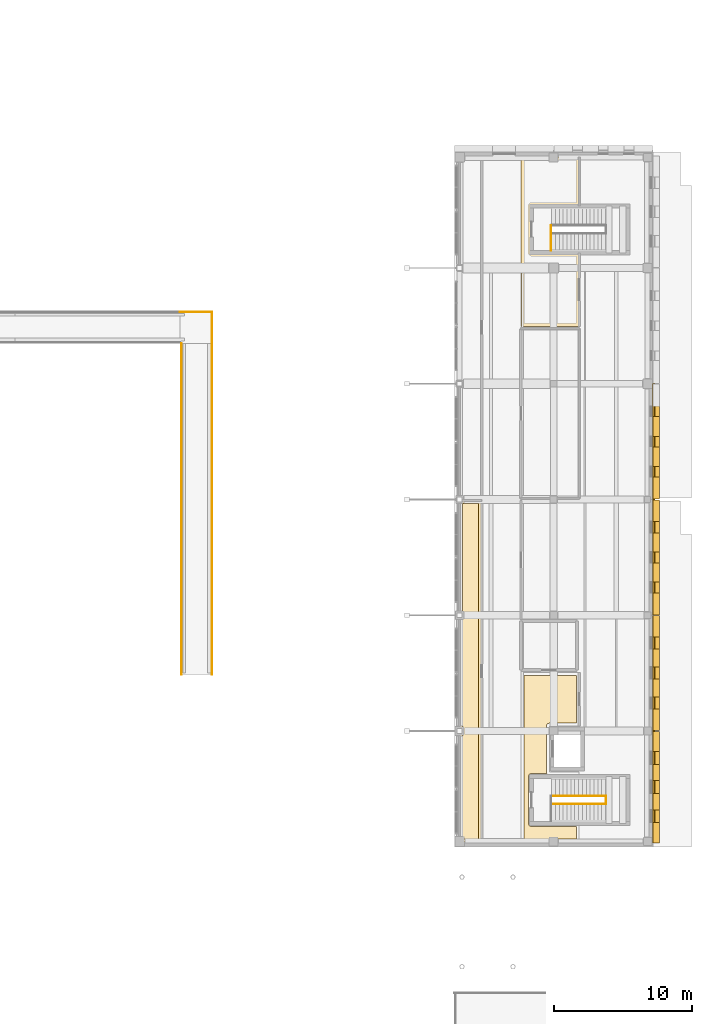
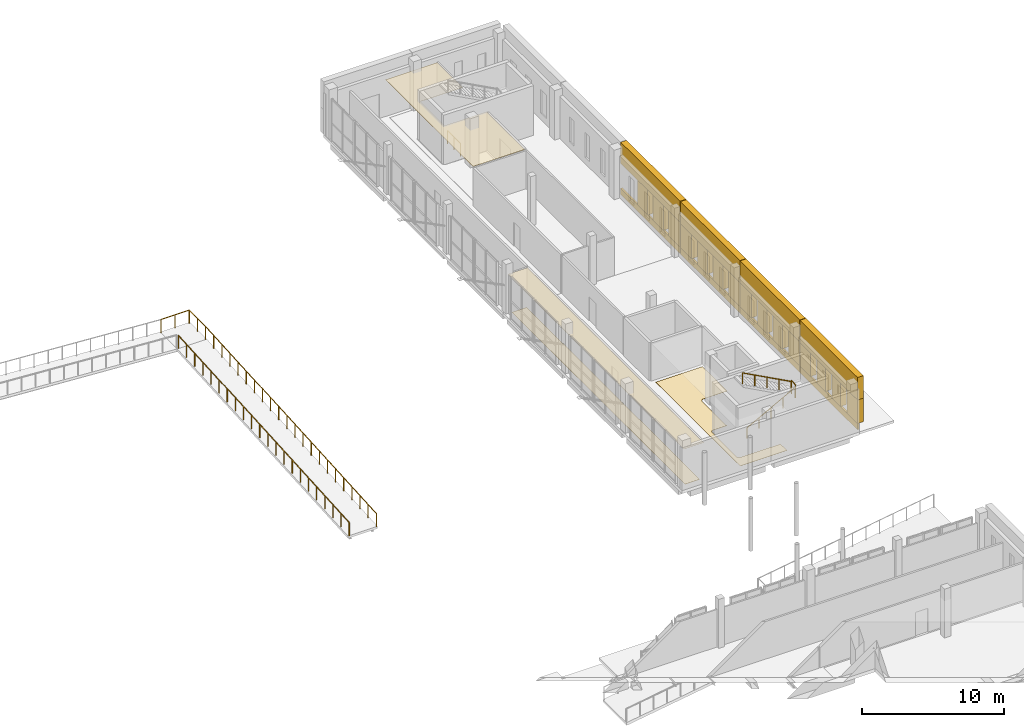
# One storey, part 76 of 77: 27 coverings, 8 railings.
"""IFC4 building model written with IfcOpenShell, lengths in metres."""

from ifc_helpers import new_model, si_unit, direction, frame, origin, origin_2d, place, context, subcontext, project, spatial, polyline, circle, outline, extrude, material, layer, layer_set, type_object, element, save


model = new_model("IFC4")

# Units and contexts
model_context = context("Model", 3, precision=1e-05, world=origin(), true_north=direction((0.0, 1.0)))
body_context = subcontext(model_context, "Body", "Model", "MODEL_VIEW")
ifc_project = project(units=[si_unit("LENGTHUNIT", "METRE"), si_unit("AREAUNIT", "SQUARE_METRE"), si_unit("VOLUMEUNIT", "CUBIC_METRE"), si_unit("PLANEANGLEUNIT", "RADIAN"), si_unit("MASSUNIT", "GRAM", prefix="KILO")], contexts=[model_context])

# Site, building, storey
site_placement = place(None, origin())
site = spatial("IfcSite", under=ifc_project, at=site_placement, CompositionType="ELEMENT")
building_placement = place(site_placement, origin())
building = spatial("IfcBuilding", under=site, at=building_placement, Name="Vardoun Plaza Health Centre", CompositionType="ELEMENT")
storey_placement = place(building_placement, origin())
storey = spatial("IfcBuildingStorey", under=building, at=storey_placement, Name="L00", CompositionType="ELEMENT", Elevation=0.0)

# Coverings
ifc_material_1 = material(Name="Hygienic Acoustic Mineral-Fibre Ceiling", Category="concrete")
ifc_layer_1 = layer(ifc_material_1, 0.02490234375)
ifc_layer_set_1 = layer_set([ifc_layer_1], Name="Hygienic Acoustic Mineral-Fibre Ceiling")
covering_type_1 = type_object("IfcCoveringType", Name="CL-01", PredefinedType="CEILING", material=ifc_layer_set_1)
covering_1_placement = place(storey_placement, frame((0.0, 0.0, 3.2099609375)))
element("IfcCovering", 1, at=covering_1_placement, inside=storey, type_object=covering_type_1, Name="Pharmacy Counselling Room Acoustic Ceiling", PredefinedType="CEILING", context=body_context, shape_type="SweptSolid", body=[
    extrude(outline(polyline([(152.8701171875, 36.659912109375), (151.260009765625, 36.659912109375), (151.260009765625, 61.409912109375), (152.8701171875, 61.409912109375), (152.8701171875, 36.659912109375)])), origin(), (0.0, 0.0, 1.0), 0.025146484375),
])
covering_2_placement = place(storey_placement, frame((0.0, 0.0, 3.2099609375)))
element("IfcCovering", 2, at=covering_2_placement, inside=storey, type_object=covering_type_1, Name="Community Health Cafe Acoustic Ceiling", PredefinedType="CEILING", context=body_context, shape_type="SweptSolid", body=[
    extrude(outline(polyline([(159.949951171875, 86.340087890625), (159.949951171875, 82.81005859375), (156.5, 82.81005859375), (156.4990234375, 82.81005859375), (156.498046875, 82.809814453125), (156.4970703125, 82.8095703125), (156.49609375, 82.80908203125), (156.495361328125, 82.808837890625), (156.494384765625, 82.808349609375), (156.49365234375, 82.8076171875), (156.492919921875, 82.80712890625), (156.4921875, 82.806396484375), (156.49169921875, 82.8056640625), (156.4912109375, 82.8046875), (156.49072265625, 82.8037109375), (156.490478515625, 82.802978515625), (156.490234375, 82.802001953125), (156.489990234375, 82.801025390625), (156.489990234375, 82.800048828125), (156.489990234375, 79.39990234375), (156.489990234375, 79.39892578125), (156.490234375, 79.39794921875), (156.490478515625, 79.397216796875), (156.49072265625, 79.396240234375), (156.4912109375, 79.395263671875), (156.49169921875, 79.394287109375), (156.4921875, 79.393798828125), (156.492919921875, 79.392822265625), (156.49365234375, 79.392333984375), (156.494384765625, 79.3916015625), (156.495361328125, 79.39111328125), (156.49609375, 79.390869140625), (156.4970703125, 79.390380859375), (156.498046875, 79.39013671875), (156.4990234375, 79.389892578125), (156.5, 79.389892578125), (159.949951171875, 79.389892578125), (159.949951171875, 74.054931640625), (155.72998046875, 74.054931640625), (155.72998046875, 86.340087890625), (159.949951171875, 86.340087890625)])), origin(), (0.0, 0.0, 1.0), 0.025146484375),
])
ifc_material_2 = material(Name="Pale Limestone Concrete C35/45", Category="masonry")
ifc_layer_2 = layer(ifc_material_2, 0.080078125)
ifc_layer_set_2 = layer_set([ifc_layer_2], Name="Pale Limestone Concrete C35/45")
covering_type_2 = type_object("IfcCoveringType", Name="CL-EXT1", PredefinedType="CLADDING", material=ifc_layer_set_2)
covering_3_placement = place(storey_placement, origin())
element("IfcCovering", 3, at=covering_3_placement, inside=storey, type_object=covering_type_2, Name="V6 L00 Pale Concrete Sill Band 1262", PredefinedType="CLADDING", context=body_context, shape_type="SweptSolid", body=[
    extrude(outline(polyline([(165.300048828125, 69.8798828125), (165.300048828125, 61.52001953125), (165.43994140625, 61.52001953125), (165.43994140625, 69.8798828125), (165.300048828125, 69.8798828125)])), origin(), (0.0, 0.0, 1.0), 0.550048828125),
])
covering_4_placement = place(storey_placement, frame((0.0, 0.0, 2.68994140625)))
element("IfcCovering", 4, at=covering_4_placement, inside=storey, type_object=covering_type_2, Name="V6 L00 Sculpted Concrete Eyebrow Hood 1263", PredefinedType="CLADDING", context=body_context, shape_type="SweptSolid", body=[
    extrude(outline(polyline([(165.300048828125, 69.8798828125), (165.300048828125, 61.52001953125), (165.780029296875, 61.52001953125), (165.780029296875, 69.8798828125), (165.300048828125, 69.8798828125)])), origin(), (0.0, 0.0, 1.0), 1.81005859375),
])
covering_5_placement = place(storey_placement, frame((0.0, 0.0, 0.550048828125)))
element("IfcCovering", 5, at=covering_5_placement, inside=storey, type_object=covering_type_2, Name="V6 L00 Deep-Punched Slot Concrete Reveal Pier 1265", PredefinedType="CLADDING", context=body_context, shape_type="SweptSolid", body=[
    extrude(outline(polyline([(165.300048828125, 67.509033203125), (165.300048828125, 66.074951171875), (165.780029296875, 66.074951171875), (165.780029296875, 67.509033203125), (165.300048828125, 67.509033203125)])), origin(), (0.0, 0.0, 1.0), 2.139892578125),
])
covering_6_placement = place(storey_placement, frame((0.0, 0.0, 0.550048828125)))
element("IfcCovering", 6, at=covering_6_placement, inside=storey, type_object=covering_type_2, Name="V6 L00 Deep-Punched Slot Concrete Reveal Pier 1266", PredefinedType="CLADDING", context=body_context, shape_type="SweptSolid", body=[
    extrude(outline(polyline([(165.300048828125, 65.324951171875), (165.300048828125, 63.89111328125), (165.780029296875, 63.89111328125), (165.780029296875, 65.324951171875), (165.300048828125, 65.324951171875)])), origin(), (0.0, 0.0, 1.0), 2.139892578125),
])
covering_7_placement = place(storey_placement, frame((0.0, 0.0, 0.550048828125)))
element("IfcCovering", 7, at=covering_7_placement, inside=storey, type_object=covering_type_2, Name="V6 L00 Deep-Punched Slot Concrete Reveal Pier 1267", PredefinedType="CLADDING", context=body_context, shape_type="SweptSolid", body=[
    extrude(outline(polyline([(165.300048828125, 63.14111328125), (165.300048828125, 61.52001953125), (165.780029296875, 61.52001953125), (165.780029296875, 63.14111328125), (165.300048828125, 63.14111328125)])), origin(), (0.0, 0.0, 1.0), 2.139892578125),
])
covering_8_placement = place(storey_placement, origin())
element("IfcCovering", 8, at=covering_8_placement, inside=storey, type_object=covering_type_2, Name="V6 L00 Pale Concrete Sill Band 1268", PredefinedType="CLADDING", context=body_context, shape_type="SweptSolid", body=[
    extrude(outline(polyline([(165.300048828125, 61.47998046875), (165.300048828125, 53.1201171875), (165.43994140625, 53.1201171875), (165.43994140625, 61.47998046875), (165.300048828125, 61.47998046875)])), origin(), (0.0, 0.0, 1.0), 0.550048828125),
])
covering_9_placement = place(storey_placement, frame((0.0, 0.0, 2.610107421875)))
element("IfcCovering", 9, at=covering_9_placement, inside=storey, type_object=covering_type_2, Name="V6 L00 Sculpted Concrete Eyebrow Hood 1269", PredefinedType="CLADDING", context=body_context, shape_type="SweptSolid", body=[
    extrude(outline(polyline([(165.300048828125, 61.47998046875), (165.300048828125, 53.1201171875), (165.780029296875, 53.1201171875), (165.780029296875, 61.47998046875), (165.300048828125, 61.47998046875)])), origin(), (0.0, 0.0, 1.0), 1.889892578125),
])
covering_10_placement = place(storey_placement, frame((0.0, 0.0, 0.550048828125)))
element("IfcCovering", 10, at=covering_10_placement, inside=storey, type_object=covering_type_2, Name="V6 L00 Deep-Punched Slot Concrete Reveal Pier 1270", PredefinedType="CLADDING", context=body_context, shape_type="SweptSolid", body=[
    extrude(outline(polyline([(165.300048828125, 61.47998046875), (165.300048828125, 59.888916015625), (165.780029296875, 59.888916015625), (165.780029296875, 61.47998046875), (165.300048828125, 61.47998046875)])), origin(), (0.0, 0.0, 1.0), 2.06005859375),
])
covering_11_placement = place(storey_placement, frame((0.0, 0.0, 0.550048828125)))
element("IfcCovering", 11, at=covering_11_placement, inside=storey, type_object=covering_type_2, Name="V6 L00 Deep-Punched Slot Concrete Reveal Pier 1271", PredefinedType="CLADDING", context=body_context, shape_type="SweptSolid", body=[
    extrude(outline(polyline([(165.300048828125, 59.0791015625), (165.300048828125, 57.705078125), (165.780029296875, 57.705078125), (165.780029296875, 59.0791015625), (165.300048828125, 59.0791015625)])), origin(), (0.0, 0.0, 1.0), 2.06005859375),
])
covering_12_placement = place(storey_placement, frame((0.0, 0.0, 0.550048828125)))
element("IfcCovering", 12, at=covering_12_placement, inside=storey, type_object=covering_type_2, Name="V6 L00 Deep-Punched Slot Concrete Reveal Pier 1272", PredefinedType="CLADDING", context=body_context, shape_type="SweptSolid", body=[
    extrude(outline(polyline([(165.300048828125, 56.89501953125), (165.300048828125, 55.52099609375), (165.780029296875, 55.52099609375), (165.780029296875, 56.89501953125), (165.300048828125, 56.89501953125)])), origin(), (0.0, 0.0, 1.0), 2.06005859375),
])
covering_13_placement = place(storey_placement, frame((0.0, 0.0, 0.550048828125)))
element("IfcCovering", 13, at=covering_13_placement, inside=storey, type_object=covering_type_2, Name="V6 L00 Deep-Punched Slot Concrete Reveal Pier 1273", PredefinedType="CLADDING", context=body_context, shape_type="SweptSolid", body=[
    extrude(outline(polyline([(165.300048828125, 54.7109375), (165.300048828125, 53.1201171875), (165.780029296875, 53.1201171875), (165.780029296875, 54.7109375), (165.300048828125, 54.7109375)])), origin(), (0.0, 0.0, 1.0), 2.06005859375),
])
covering_14_placement = place(storey_placement, origin())
element("IfcCovering", 14, at=covering_14_placement, inside=storey, type_object=covering_type_2, Name="V6 L00 Pale Concrete Sill Band 1274", PredefinedType="CLADDING", context=body_context, shape_type="SweptSolid", body=[
    extrude(outline(polyline([(165.300048828125, 53.080078125), (165.300048828125, 44.719970703125), (165.43994140625, 44.719970703125), (165.43994140625, 53.080078125), (165.300048828125, 53.080078125)])), origin(), (0.0, 0.0, 1.0), 0.550048828125),
])
covering_15_placement = place(storey_placement, frame((0.0, 0.0, 2.610107421875)))
element("IfcCovering", 15, at=covering_15_placement, inside=storey, type_object=covering_type_2, Name="V6 L00 Sculpted Concrete Eyebrow Hood 1275", PredefinedType="CLADDING", context=body_context, shape_type="SweptSolid", body=[
    extrude(outline(polyline([(165.300048828125, 53.080078125), (165.300048828125, 44.719970703125), (165.780029296875, 44.719970703125), (165.780029296875, 53.080078125), (165.300048828125, 53.080078125)])), origin(), (0.0, 0.0, 1.0), 1.889892578125),
])
covering_16_placement = place(storey_placement, frame((0.0, 0.0, 0.550048828125)))
element("IfcCovering", 16, at=covering_16_placement, inside=storey, type_object=covering_type_2, Name="V6 L00 Deep-Punched Slot Concrete Reveal Pier 1276", PredefinedType="CLADDING", context=body_context, shape_type="SweptSolid", body=[
    extrude(outline(polyline([(165.300048828125, 53.080078125), (165.300048828125, 51.51904296875), (165.780029296875, 51.51904296875), (165.780029296875, 53.080078125), (165.300048828125, 53.080078125)])), origin(), (0.0, 0.0, 1.0), 2.06005859375),
])
covering_17_placement = place(storey_placement, frame((0.0, 0.0, 0.550048828125)))
element("IfcCovering", 17, at=covering_17_placement, inside=storey, type_object=covering_type_2, Name="V6 L00 Deep-Punched Slot Concrete Reveal Pier 1277", PredefinedType="CLADDING", context=body_context, shape_type="SweptSolid", body=[
    extrude(outline(polyline([(165.300048828125, 50.64892578125), (165.300048828125, 49.3349609375), (165.780029296875, 49.3349609375), (165.780029296875, 50.64892578125), (165.300048828125, 50.64892578125)])), origin(), (0.0, 0.0, 1.0), 2.06005859375),
])
covering_18_placement = place(storey_placement, frame((0.0, 0.0, 0.550048828125)))
element("IfcCovering", 18, at=covering_18_placement, inside=storey, type_object=covering_type_2, Name="V6 L00 Deep-Punched Slot Concrete Reveal Pier 1278", PredefinedType="CLADDING", context=body_context, shape_type="SweptSolid", body=[
    extrude(outline(polyline([(165.300048828125, 48.465087890625), (165.300048828125, 47.15087890625), (165.780029296875, 47.15087890625), (165.780029296875, 48.465087890625), (165.300048828125, 48.465087890625)])), origin(), (0.0, 0.0, 1.0), 2.06005859375),
])
covering_19_placement = place(storey_placement, frame((0.0, 0.0, 0.550048828125)))
element("IfcCovering", 19, at=covering_19_placement, inside=storey, type_object=covering_type_2, Name="V6 L00 Deep-Punched Slot Concrete Reveal Pier 1279", PredefinedType="CLADDING", context=body_context, shape_type="SweptSolid", body=[
    extrude(outline(polyline([(165.300048828125, 46.281005859375), (165.300048828125, 44.719970703125), (165.780029296875, 44.719970703125), (165.780029296875, 46.281005859375), (165.300048828125, 46.281005859375)])), origin(), (0.0, 0.0, 1.0), 2.06005859375),
])
covering_20_placement = place(storey_placement, origin())
element("IfcCovering", 20, at=covering_20_placement, inside=storey, type_object=covering_type_2, Name="V6 L00 Pale Concrete Sill Band 1280", PredefinedType="CLADDING", context=body_context, shape_type="SweptSolid", body=[
    extrude(outline(polyline([(165.300048828125, 44.679931640625), (165.300048828125, 36.5849609375), (165.43994140625, 36.5849609375), (165.43994140625, 44.679931640625), (165.300048828125, 44.679931640625)])), origin(), (0.0, 0.0, 1.0), 0.550048828125),
])
covering_21_placement = place(storey_placement, frame((0.0, 0.0, 2.570068359375)))
element("IfcCovering", 21, at=covering_21_placement, inside=storey, type_object=covering_type_2, Name="V6 L00 Sculpted Concrete Eyebrow Hood 1281", PredefinedType="CLADDING", context=body_context, shape_type="SweptSolid", body=[
    extrude(outline(polyline([(165.300048828125, 44.679931640625), (165.300048828125, 36.5849609375), (165.780029296875, 36.5849609375), (165.780029296875, 44.679931640625), (165.300048828125, 44.679931640625)])), origin(), (0.0, 0.0, 1.0), 1.929931640625),
])
covering_22_placement = place(storey_placement, frame((0.0, 0.0, 0.550048828125)))
element("IfcCovering", 22, at=covering_22_placement, inside=storey, type_object=covering_type_2, Name="V6 L00 Deep-Punched Slot Concrete Reveal Pier 1282", PredefinedType="CLADDING", context=body_context, shape_type="SweptSolid", body=[
    extrude(outline(polyline([(165.300048828125, 44.679931640625), (165.300048828125, 43.212646484375), (165.780029296875, 43.212646484375), (165.780029296875, 44.679931640625), (165.300048828125, 44.679931640625)])), origin(), (0.0, 0.0, 1.0), 2.02001953125),
])
covering_23_placement = place(storey_placement, frame((0.0, 0.0, 0.550048828125)))
element("IfcCovering", 23, at=covering_23_placement, inside=storey, type_object=covering_type_2, Name="V6 L00 Deep-Punched Slot Concrete Reveal Pier 1283", PredefinedType="CLADDING", context=body_context, shape_type="SweptSolid", body=[
    extrude(outline(polyline([(165.300048828125, 42.28271484375), (165.300048828125, 41.097412109375), (165.780029296875, 41.097412109375), (165.780029296875, 42.28271484375), (165.300048828125, 42.28271484375)])), origin(), (0.0, 0.0, 1.0), 2.02001953125),
])
covering_24_placement = place(storey_placement, frame((0.0, 0.0, 0.550048828125)))
element("IfcCovering", 24, at=covering_24_placement, inside=storey, type_object=covering_type_2, Name="V6 L00 Deep-Punched Slot Concrete Reveal Pier 1284", PredefinedType="CLADDING", context=body_context, shape_type="SweptSolid", body=[
    extrude(outline(polyline([(165.300048828125, 40.16748046875), (165.300048828125, 38.982421875), (165.780029296875, 38.982421875), (165.780029296875, 40.16748046875), (165.300048828125, 40.16748046875)])), origin(), (0.0, 0.0, 1.0), 2.02001953125),
])
covering_25_placement = place(storey_placement, frame((0.0, 0.0, 0.550048828125)))
element("IfcCovering", 25, at=covering_25_placement, inside=storey, type_object=covering_type_2, Name="V6 L00 Deep-Punched Slot Concrete Reveal Pier 1285", PredefinedType="CLADDING", context=body_context, shape_type="SweptSolid", body=[
    extrude(outline(polyline([(165.300048828125, 38.052490234375), (165.300048828125, 36.5849609375), (165.780029296875, 36.5849609375), (165.780029296875, 38.052490234375), (165.300048828125, 38.052490234375)])), origin(), (0.0, 0.0, 1.0), 2.02001953125),
])
ifc_material_3 = material(Name="Seamless Conductive Clinical Vinyl Flooring", Category="concrete")
ifc_layer_3 = layer(ifc_material_3, 0.014892578125)
ifc_layer_set_3 = layer_set([ifc_layer_3], Name="Seamless Conductive Clinical Vinyl Flooring")
covering_type_3 = type_object("IfcCoveringType", Name="FL-01", PredefinedType="FLOORING", material=ifc_layer_set_3)
covering_26_placement = place(storey_placement, origin())
element("IfcCovering", 26, at=covering_26_placement, inside=storey, type_object=covering_type_3, Name="Pharmacy Counselling Room Floor Finish", PredefinedType="FLOORING", context=body_context, shape_type="SweptSolid", body=[
    extrude(outline(polyline([(152.659912109375, 36.8701171875), (151.469970703125, 36.8701171875), (151.469970703125, 61.199951171875), (152.659912109375, 61.199951171875), (152.659912109375, 36.8701171875)])), origin(), (0.0, 0.0, 1.0), 0.014892578125),
])
covering_27_placement = place(storey_placement, origin())
element("IfcCovering", 27, at=covering_27_placement, inside=storey, type_object=covering_type_3, Name="Outpatient Pharmacy Dispensary A Floor Finish", PredefinedType="FLOORING", context=body_context, shape_type="SweptSolid", body=[
    extrude(outline(polyline([(157.622802734375, 41.6201171875), (156.5, 41.6201171875), (156.478515625, 41.618896484375), (156.45703125, 41.61572265625), (156.43603515625, 41.610595703125), (156.415771484375, 41.603271484375), (156.396240234375, 41.593994140625), (156.377685546875, 41.5830078125), (156.3603515625, 41.570068359375), (156.344482421875, 41.5556640625), (156.329833984375, 41.53955078125), (156.317138671875, 41.522216796875), (156.305908203125, 41.503662109375), (156.296630859375, 41.484130859375), (156.28955078125, 41.4638671875), (156.2841796875, 41.44287109375), (156.281005859375, 41.421630859375), (156.280029296875, 41.39990234375), (156.280029296875, 38.0), (156.281005859375, 37.978515625), (156.2841796875, 37.95703125), (156.28955078125, 37.93603515625), (156.296630859375, 37.915771484375), (156.305908203125, 37.896240234375), (156.317138671875, 37.877685546875), (156.329833984375, 37.8603515625), (156.344482421875, 37.844482421875), (156.3603515625, 37.829833984375), (156.377685546875, 37.817138671875), (156.396240234375, 37.805908203125), (156.415771484375, 37.796630859375), (156.43603515625, 37.78955078125), (156.45703125, 37.7841796875), (156.478515625, 37.781005859375), (156.5, 37.780029296875), (159.739990234375, 37.780029296875), (159.739990234375, 36.8701171875), (155.93994140625, 36.8701171875), (155.93994140625, 48.735107421875), (159.739990234375, 48.735107421875), (159.739990234375, 45.27001953125), (157.800048828125, 45.27001953125), (157.7783203125, 45.268798828125), (157.757080078125, 45.265869140625), (157.736083984375, 45.260498046875), (157.7158203125, 45.25341796875), (157.6962890625, 45.243896484375), (157.677734375, 45.23291015625), (157.660400390625, 45.22021484375), (157.644287109375, 45.20556640625), (157.6298828125, 45.189697265625), (157.6171875, 45.172119140625), (157.60595703125, 45.15380859375), (157.5966796875, 45.13427734375), (157.589599609375, 45.114013671875), (157.584228515625, 45.093017578125), (157.5810546875, 45.071533203125), (157.580078125, 45.050048828125), (157.580078125, 41.75), (157.5810546875, 41.728515625), (157.584228515625, 41.70703125), (157.589599609375, 41.68603515625), (157.5966796875, 41.665771484375), (157.60595703125, 41.646240234375), (157.6171875, 41.627685546875), (157.622802734375, 41.6201171875)])), origin(), (0.0, 0.0, 1.0), 0.014892578125),
])

# Railings
ifc_material_4 = material(Name="Galvanised Steel S275JR Forecourt Guardrail", Category="steel")
railing_type_1 = type_object("IfcRailingType", Name="GR-03", PredefinedType="GUARDRAIL", material=ifc_material_4)
railing_1_placement = place(storey_placement, frame((133.300048828125, 75.10009765625, -3.0)))
element("IfcRailing", 28, at=railing_1_placement, inside=storey, type_object=railing_type_1, Name="Forecourt Ramp Guardrail ARL2-E", PredefinedType="GUARDRAIL", context=body_context, shape_type="SweptSolid", body=[
    extrude(circle(Radius=0.02392578125, at=origin_2d()), frame((0.0, 0.0, 1.1259765625), z_axis=(0.0, -1.0, 0.0), x_axis=(1.0, 0.0, 0.0)), (0.0, 0.0, 1.0), 2.300048828125),
    extrude(circle(Radius=0.02099609375, at=origin_2d()), origin(), (0.0, 0.0, 1.0), 1.101806640625),
    extrude(circle(Radius=0.02099609375, at=origin_2d()), frame((0.0, -1.14990234375, 0.0)), (0.0, 0.0, 1.0), 1.101806640625),
    extrude(circle(Radius=0.02099609375, at=origin_2d()), frame((0.0, -2.300048828125, 0.0)), (0.0, 0.0, 1.0), 1.101806640625),
])
railing_2_placement = place(storey_placement, frame((131.0, 75.10009765625, -3.0)))
element("IfcRailing", 29, at=railing_2_placement, inside=storey, type_object=railing_type_1, Name="Forecourt Ramp Guardrail ARL2-N", PredefinedType="GUARDRAIL", context=body_context, shape_type="SweptSolid", body=[
    extrude(circle(Radius=0.02392578125, at=origin_2d()), frame((0.0, 0.0, 1.1259765625), z_axis=(1.0, 0.0, 0.0), x_axis=(0.0, 1.0, 0.0)), (0.0, 0.0, 1.0), 2.300048828125),
    extrude(circle(Radius=0.02099609375, at=origin_2d()), origin(), (0.0, 0.0, 1.0), 1.101806640625),
    extrude(circle(Radius=0.02099609375, at=origin_2d()), frame((1.14990234375, 0.0, 0.0)), (0.0, 0.0, 1.0), 1.101806640625),
    extrude(circle(Radius=0.02099609375, at=origin_2d()), frame((2.300048828125, 0.0, 0.0)), (0.0, 0.0, 1.0), 1.101806640625),
])
railing_3_placement = place(storey_placement, frame((131.10009765625, 72.800048828125, -3.0)))
element("IfcRailing", 30, at=railing_3_placement, inside=storey, type_object=railing_type_1, Name="Forecourt Ramp Guardrail AR3-W", PredefinedType="GUARDRAIL", context=body_context, shape_type="SweptSolid", body=[
    extrude(circle(Radius=0.02392578125, at=origin_2d()), frame((0.0, 0.0, 1.1259765625), z_axis=(0.0, -0.998052578483, -0.062378286155), x_axis=(1.0, 0.0, 0.0)), (0.0, 0.0, 1.0), 24.046875),
    extrude(circle(Radius=0.02099609375, at=origin_2d()), origin(), (0.0, 0.0, 1.0), 1.101806640625),
    extrude(circle(Radius=0.02099609375, at=origin_2d()), frame((0.0, -1.142822265625, -0.071533203125)), (0.0, 0.0, 1.0), 1.101806640625),
    extrude(circle(Radius=0.02099609375, at=origin_2d()), frame((0.0, -2.28564453125, -0.142822265625)), (0.0, 0.0, 1.0), 1.101806640625),
    extrude(circle(Radius=0.02099609375, at=origin_2d()), frame((0.0, -3.428466796875, -0.21435546875)), (0.0, 0.0, 1.0), 1.101806640625),
    extrude(circle(Radius=0.02099609375, at=origin_2d()), frame((0.0, -4.571533203125, -0.28564453125)), (0.0, 0.0, 1.0), 1.101806640625),
    extrude(circle(Radius=0.02099609375, at=origin_2d()), frame((0.0, -5.71435546875, -0.357177734375)), (0.0, 0.0, 1.0), 1.101806640625),
    extrude(circle(Radius=0.02099609375, at=origin_2d()), frame((0.0, -6.857177734375, -0.428466796875)), (0.0, 0.0, 1.0), 1.101806640625),
    extrude(circle(Radius=0.02099609375, at=origin_2d()), frame((0.0, -8.0, -0.5)), (0.0, 0.0, 1.0), 1.101806640625),
    extrude(circle(Radius=0.02099609375, at=origin_2d()), frame((0.0, -9.142822265625, -0.571533203125)), (0.0, 0.0, 1.0), 1.101806640625),
    extrude(circle(Radius=0.02099609375, at=origin_2d()), frame((0.0, -10.28564453125, -0.642822265625)), (0.0, 0.0, 1.0), 1.101806640625),
    extrude(circle(Radius=0.02099609375, at=origin_2d()), frame((0.0, -11.428466796875, -0.71435546875)), (0.0, 0.0, 1.0), 1.101806640625),
    extrude(circle(Radius=0.02099609375, at=origin_2d()), frame((0.0, -12.571533203125, -0.78564453125)), (0.0, 0.0, 1.0), 1.101806640625),
    extrude(circle(Radius=0.02099609375, at=origin_2d()), frame((0.0, -13.71435546875, -0.857177734375)), (0.0, 0.0, 1.0), 1.101806640625),
    extrude(circle(Radius=0.02099609375, at=origin_2d()), frame((0.0, -14.857177734375, -0.928466796875)), (0.0, 0.0, 1.0), 1.101806640625),
    extrude(circle(Radius=0.02099609375, at=origin_2d()), frame((0.0, -16.0, -1.0)), (0.0, 0.0, 1.0), 1.101806640625),
    extrude(circle(Radius=0.02099609375, at=origin_2d()), frame((0.0, -17.142822265625, -1.071533203125)), (0.0, 0.0, 1.0), 1.101806640625),
    extrude(circle(Radius=0.02099609375, at=origin_2d()), frame((0.0, -18.28564453125, -1.142822265625)), (0.0, 0.0, 1.0), 1.101806640625),
    extrude(circle(Radius=0.02099609375, at=origin_2d()), frame((0.0, -19.428466796875, -1.21435546875)), (0.0, 0.0, 1.0), 1.101806640625),
    extrude(circle(Radius=0.02099609375, at=origin_2d()), frame((0.0, -20.571533203125, -1.28564453125)), (0.0, 0.0, 1.0), 1.101806640625),
    extrude(circle(Radius=0.02099609375, at=origin_2d()), frame((0.0, -21.71435546875, -1.357177734375)), (0.0, 0.0, 1.0), 1.101806640625),
    extrude(circle(Radius=0.02099609375, at=origin_2d()), frame((0.0, -22.857177734375, -1.428466796875)), (0.0, 0.0, 1.0), 1.101806640625),
    extrude(circle(Radius=0.02099609375, at=origin_2d()), frame((0.0, -24.0, -1.5)), (0.0, 0.0, 1.0), 1.101806640625),
])
railing_4_placement = place(storey_placement, frame((133.300048828125, 72.800048828125, -3.0)))
element("IfcRailing", 31, at=railing_4_placement, inside=storey, type_object=railing_type_1, Name="Forecourt Ramp Guardrail AR3-E", PredefinedType="GUARDRAIL", context=body_context, shape_type="SweptSolid", body=[
    extrude(circle(Radius=0.02392578125, at=origin_2d()), frame((0.0, 0.0, 1.1259765625), z_axis=(0.0, -0.998052578483, -0.062378286155), x_axis=(1.0, 0.0, 0.0)), (0.0, 0.0, 1.0), 24.046875),
    extrude(circle(Radius=0.02099609375, at=origin_2d()), origin(), (0.0, 0.0, 1.0), 1.101806640625),
    extrude(circle(Radius=0.02099609375, at=origin_2d()), frame((0.0, -1.142822265625, -0.071533203125)), (0.0, 0.0, 1.0), 1.101806640625),
    extrude(circle(Radius=0.02099609375, at=origin_2d()), frame((0.0, -2.28564453125, -0.142822265625)), (0.0, 0.0, 1.0), 1.101806640625),
    extrude(circle(Radius=0.02099609375, at=origin_2d()), frame((0.0, -3.428466796875, -0.21435546875)), (0.0, 0.0, 1.0), 1.101806640625),
    extrude(circle(Radius=0.02099609375, at=origin_2d()), frame((0.0, -4.571533203125, -0.28564453125)), (0.0, 0.0, 1.0), 1.101806640625),
    extrude(circle(Radius=0.02099609375, at=origin_2d()), frame((0.0, -5.71435546875, -0.357177734375)), (0.0, 0.0, 1.0), 1.101806640625),
    extrude(circle(Radius=0.02099609375, at=origin_2d()), frame((0.0, -6.857177734375, -0.428466796875)), (0.0, 0.0, 1.0), 1.101806640625),
    extrude(circle(Radius=0.02099609375, at=origin_2d()), frame((0.0, -8.0, -0.5)), (0.0, 0.0, 1.0), 1.101806640625),
    extrude(circle(Radius=0.02099609375, at=origin_2d()), frame((0.0, -9.142822265625, -0.571533203125)), (0.0, 0.0, 1.0), 1.101806640625),
    extrude(circle(Radius=0.02099609375, at=origin_2d()), frame((0.0, -10.28564453125, -0.642822265625)), (0.0, 0.0, 1.0), 1.101806640625),
    extrude(circle(Radius=0.02099609375, at=origin_2d()), frame((0.0, -11.428466796875, -0.71435546875)), (0.0, 0.0, 1.0), 1.101806640625),
    extrude(circle(Radius=0.02099609375, at=origin_2d()), frame((0.0, -12.571533203125, -0.78564453125)), (0.0, 0.0, 1.0), 1.101806640625),
    extrude(circle(Radius=0.02099609375, at=origin_2d()), frame((0.0, -13.71435546875, -0.857177734375)), (0.0, 0.0, 1.0), 1.101806640625),
    extrude(circle(Radius=0.02099609375, at=origin_2d()), frame((0.0, -14.857177734375, -0.928466796875)), (0.0, 0.0, 1.0), 1.101806640625),
    extrude(circle(Radius=0.02099609375, at=origin_2d()), frame((0.0, -16.0, -1.0)), (0.0, 0.0, 1.0), 1.101806640625),
    extrude(circle(Radius=0.02099609375, at=origin_2d()), frame((0.0, -17.142822265625, -1.071533203125)), (0.0, 0.0, 1.0), 1.101806640625),
    extrude(circle(Radius=0.02099609375, at=origin_2d()), frame((0.0, -18.28564453125, -1.142822265625)), (0.0, 0.0, 1.0), 1.101806640625),
    extrude(circle(Radius=0.02099609375, at=origin_2d()), frame((0.0, -19.428466796875, -1.21435546875)), (0.0, 0.0, 1.0), 1.101806640625),
    extrude(circle(Radius=0.02099609375, at=origin_2d()), frame((0.0, -20.571533203125, -1.28564453125)), (0.0, 0.0, 1.0), 1.101806640625),
    extrude(circle(Radius=0.02099609375, at=origin_2d()), frame((0.0, -21.71435546875, -1.357177734375)), (0.0, 0.0, 1.0), 1.101806640625),
    extrude(circle(Radius=0.02099609375, at=origin_2d()), frame((0.0, -22.857177734375, -1.428466796875)), (0.0, 0.0, 1.0), 1.101806640625),
    extrude(circle(Radius=0.02099609375, at=origin_2d()), frame((0.0, -24.0, -1.5)), (0.0, 0.0, 1.0), 1.101806640625),
])
ifc_material_5 = material(Name="Painted Steel S275JR Stair-Well Guardrail", Category="steel")
railing_type_2 = type_object("IfcRailingType", Name="GR-04", PredefinedType="GUARDRAIL", material=ifc_material_5)
railing_5_placement = place(storey_placement, frame((161.909912109375, 39.405029296875, 2.25)))
element("IfcRailing", 32, at=railing_5_placement, inside=storey, type_object=railing_type_2, Name="Stair ST-C10-L00 Mid-Landing Well Guard", PredefinedType="GUARDRAIL", context=body_context, shape_type="SweptSolid", body=[
    extrude(circle(Radius=0.02392578125, at=origin_2d()), frame((0.0, 0.0, 1.09619140625), z_axis=(0.0, 1.0, 0.0), x_axis=(-1.0, 0.0, 0.0)), (0.0, 0.0, 1.0), 0.590087890625),
    extrude(circle(Radius=0.02099609375, at=origin_2d()), origin(), (0.0, 0.0, 1.0), 1.072021484375),
    extrude(circle(Radius=0.02099609375, at=origin_2d()), frame((0.0, 0.590087890625, 0.0)), (0.0, 0.0, 1.0), 1.072021484375),
])
railing_6_placement = place(storey_placement, frame((157.909912109375, 79.580078125, 0.0)))
element("IfcRailing", 33, at=railing_6_placement, inside=storey, type_object=railing_type_2, Name="Stair ST-C11-B1 Upper Landing Well Guard", PredefinedType="GUARDRAIL", context=body_context, shape_type="SweptSolid", body=[
    extrude(circle(Radius=0.02392578125, at=origin_2d()), frame((0.0, 0.0, 1.09619140625), z_axis=(0.0, 1.0, 0.0), x_axis=(-1.0, 0.0, 0.0)), (0.0, 0.0, 1.0), 1.81494140625),
    extrude(circle(Radius=0.02099609375, at=origin_2d()), origin(), (0.0, 0.0, 1.0), 1.072021484375),
    extrude(circle(Radius=0.02099609375, at=origin_2d()), frame((0.0, 0.907470703125, 0.0)), (0.0, 0.0, 1.0), 1.072021484375),
    extrude(circle(Radius=0.02099609375, at=origin_2d()), frame((0.0, 1.81494140625, 0.0)), (0.0, 0.0, 1.0), 1.072021484375),
])
ifc_material_6 = material(Name="Brushed Stainless Steel Grade 316L", Category="steel")
railing_type_3 = type_object("IfcRailingType", Name="HR-01", PredefinedType="HANDRAIL", material=ifc_material_6)
railing_7_placement = place(storey_placement, frame((157.949951171875, 39.405029296875, 0.14990234375)))
element("IfcRailing", 34, at=railing_7_placement, inside=storey, type_object=railing_type_3, Name="Stair ST-C10-L00 Flight 1 Handrail", PredefinedType="HANDRAIL", context=body_context, shape_type="SweptSolid", body=[
    extrude(circle(Radius=0.02392578125, at=origin_2d()), frame((0.0, 0.0, 0.89599609375), z_axis=(0.881479153919, 0.0, 0.472222935917), x_axis=(0.0, 1.0, 0.0)), (0.0, 0.0, 1.0), 4.447265625),
    extrude(circle(Radius=0.02099609375, at=origin_2d()), origin(), (0.0, 0.0, 1.0), 0.871826171875),
    extrude(circle(Radius=0.02099609375, at=origin_2d()), frame((0.97998046875, 0.0, 0.52490234375)), (0.0, 0.0, 1.0), 0.871826171875),
    extrude(circle(Radius=0.02099609375, at=origin_2d()), frame((1.9599609375, 0.0, 1.050048828125)), (0.0, 0.0, 1.0), 0.871826171875),
    extrude(circle(Radius=0.02099609375, at=origin_2d()), frame((2.940185546875, 0.0, 1.5751953125)), (0.0, 0.0, 1.0), 0.871826171875),
    extrude(circle(Radius=0.02099609375, at=origin_2d()), frame((3.920166015625, 0.0, 2.10009765625)), (0.0, 0.0, 1.0), 0.871826171875),
])
railing_8_placement = place(storey_placement, frame((161.8701171875, 39.9951171875, 2.39990234375)))
element("IfcRailing", 35, at=railing_8_placement, inside=storey, type_object=railing_type_3, Name="Stair ST-C10-L00 Flight 2 Handrail", PredefinedType="HANDRAIL", context=body_context, shape_type="SweptSolid", body=[
    extrude(circle(Radius=0.02392578125, at=origin_2d()), frame((0.0, 0.0, 0.89599609375), z_axis=(-0.881479153919, 0.0, 0.472222935917), x_axis=(0.0, -1.0, 0.0)), (0.0, 0.0, 1.0), 4.447265625),
    extrude(circle(Radius=0.02099609375, at=origin_2d()), origin(), (0.0, 0.0, 1.0), 0.871826171875),
    extrude(circle(Radius=0.02099609375, at=origin_2d()), frame((-0.97998046875, 0.0, 0.52490234375)), (0.0, 0.0, 1.0), 0.871826171875),
    extrude(circle(Radius=0.02099609375, at=origin_2d()), frame((-1.9599609375, 0.0, 1.050048828125)), (0.0, 0.0, 1.0), 0.871826171875),
    extrude(circle(Radius=0.02099609375, at=origin_2d()), frame((-2.940185546875, 0.0, 1.5751953125)), (0.0, 0.0, 1.0), 0.871826171875),
    extrude(circle(Radius=0.02099609375, at=origin_2d()), frame((-3.920166015625, 0.0, 2.10009765625)), (0.0, 0.0, 1.0), 0.871826171875),
])

save(model, "model.ifc")
